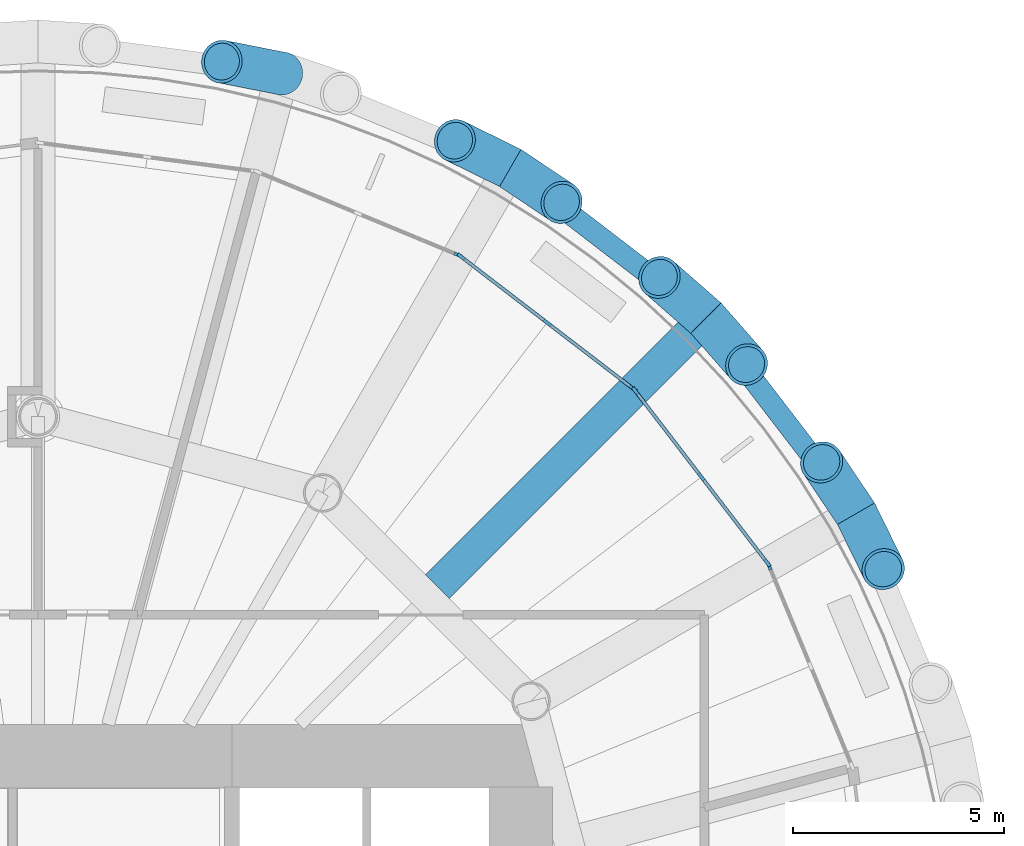
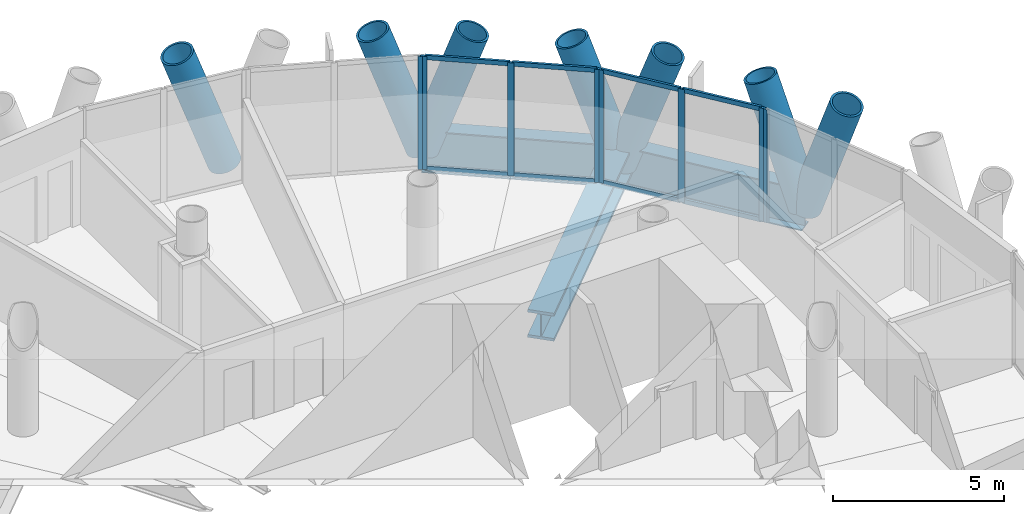
# One storey, part 6 of 13: 23 members, 3 beams, 4 elements without a shape of their own.
"""IFC4 building model written with IfcOpenShell, lengths in metres."""

from ifc_helpers import new_model, si_unit, direction, frame, origin, origin_2d, place, context, subcontext, project, spatial, rectangle, hollow_circle, i_section, extrude, material, material_profile, profile_set, type_object, element, aggregate, save


model = new_model("IFC4")

# Units and contexts
model_context = context("Model", 3, precision=1e-05, world=origin(), true_north=direction((0.0, 1.0)))
body_context = subcontext(model_context, "Body", "Model", "MODEL_VIEW")
ifc_project = project(units=[si_unit("LENGTHUNIT", "METRE"), si_unit("AREAUNIT", "SQUARE_METRE"), si_unit("VOLUMEUNIT", "CUBIC_METRE"), si_unit("PLANEANGLEUNIT", "RADIAN"), si_unit("MASSUNIT", "GRAM", prefix="KILO")], contexts=[model_context])

# Site, building, storey
site_placement = place(None, origin())
site = spatial("IfcSite", under=ifc_project, at=site_placement, CompositionType="ELEMENT")
building_placement = place(site_placement, origin())
building = spatial("IfcBuilding", under=site, at=building_placement, Name="Qaws Media Tower", CompositionType="ELEMENT")
storey_placement = place(building_placement, frame((0.0, 0.0, 244.39990234375)))
storey = spatial("IfcBuildingStorey", under=building, at=storey_placement, Name="L56", CompositionType="ELEMENT", Elevation=244.39990234375)

# Curtain wall, member
ifc_material_1 = material(Name="Aluminium and clear glass", Category="aluminium")
curtain_wall_type = type_object("IfcCurtainWallType", Name="Unitised curtain wall CW-C", PredefinedType="NOTDEFINED", material=ifc_material_1)
curtain_wall_1_placement = place(storey_placement, origin())
curtain_wall_1 = element("IfcCurtainWall", 1, at=curtain_wall_1_placement, inside=storey, type_object=curtain_wall_type, Name="CWC curtain wall L56-02", PredefinedType="NOTDEFINED")
ifc_material_2 = material(Name="Aluminium mullion", Category="aluminium")
ifc_material_profile_1 = material_profile(ifc_material_2, rectangle(XDim=0.080078125, YDim=0.199951171875, at=origin_2d()), Name="80x200")
ifc_profile_set_1 = profile_set([ifc_material_profile_1], Name="Aluminium mullion")
member_type_1 = type_object("IfcMemberType", Name="Curtain wall mullion 80x200", PredefinedType="MULLION", material=ifc_profile_set_1)
member_1_placement = place(storey_placement, frame((77.335693359375, 59.963134765625, 0.0), z_axis=(0.0, 0.0, 1.0), x_axis=(-0.923879492524, -0.382683528904, 0.0)))
member_1 = element("IfcMember", 2, at=member_1_placement, type_object=member_type_1, Name="CWC mullion 3", PredefinedType="MULLION", context=body_context, shape_type="SweptSolid", body=[
    extrude(rectangle(XDim=0.080078125, YDim=0.199951171875, at=origin_2d()), origin(), (0.0, 0.0, 1.0), 4.0400390625),
])
aggregate(curtain_wall_1, [member_1])

# Curtain wall, members
curtain_wall_2_placement = place(storey_placement, origin())
curtain_wall_2 = element("IfcCurtainWall", 3, at=curtain_wall_2_placement, inside=storey, type_object=curtain_wall_type, Name="CWC curtain wall L56-03", PredefinedType="NOTDEFINED")
member_2_placement = place(storey_placement, frame((77.296142578125, 60.03173828125, 0.0), z_axis=(0.0, 0.0, 1.0), x_axis=(-0.793353408811, -0.608761339712, 0.0)))
member_2 = element("IfcMember", 4, at=member_2_placement, type_object=member_type_1, Name="CWC mullion 1", PredefinedType="MULLION", context=body_context, shape_type="SweptSolid", body=[
    extrude(rectangle(XDim=0.080078125, YDim=0.199951171875, at=origin_2d()), origin(), (0.0, 0.0, 1.0), 4.0400390625),
])
member_3_placement = place(storey_placement, frame((75.731201171875, 62.071044921875, 0.0), z_axis=(0.0, 0.0, 1.0), x_axis=(-0.793353408811, -0.608761339712, 0.0)))
member_3 = element("IfcMember", 5, at=member_3_placement, type_object=member_type_1, Name="CWC mullion 2", PredefinedType="MULLION", context=body_context, shape_type="SweptSolid", body=[
    extrude(rectangle(XDim=0.080078125, YDim=0.199951171875, at=origin_2d()), origin(), (0.0, 0.0, 1.0), 4.0400390625),
])
member_4_placement = place(storey_placement, frame((74.16650390625, 64.1103515625, 0.0), z_axis=(0.0, 0.0, 1.0), x_axis=(-0.793353408811, -0.608761339712, 0.0)))
member_4 = element("IfcMember", 6, at=member_4_placement, type_object=member_type_1, Name="CWC mullion 3", PredefinedType="MULLION", context=body_context, shape_type="SweptSolid", body=[
    extrude(rectangle(XDim=0.080078125, YDim=0.199951171875, at=origin_2d()), origin(), (0.0, 0.0, 1.0), 4.0400390625),
])

curtain_wall_3_placement = place(storey_placement, origin())
curtain_wall_3 = element("IfcCurtainWall", 7, at=curtain_wall_3_placement, inside=storey, type_object=curtain_wall_type, Name="CWC curtain wall L56-04", PredefinedType="NOTDEFINED")
member_5_placement = place(storey_placement, frame((74.1103515625, 64.16650390625, 0.0), z_axis=(0.0, 0.0, 1.0), x_axis=(-0.608761339712, -0.793353408811, 0.0)))
member_5 = element("IfcMember", 8, at=member_5_placement, type_object=member_type_1, Name="CWC mullion 1", PredefinedType="MULLION", context=body_context, shape_type="SweptSolid", body=[
    extrude(rectangle(XDim=0.080078125, YDim=0.199951171875, at=origin_2d()), origin(), (0.0, 0.0, 1.0), 4.0400390625),
])
member_6_placement = place(storey_placement, frame((72.071044921875, 65.731201171875, 0.0), z_axis=(0.0, 0.0, 1.0), x_axis=(-0.608761339712, -0.793353408811, 0.0)))
member_6 = element("IfcMember", 9, at=member_6_placement, type_object=member_type_1, Name="CWC mullion 2", PredefinedType="MULLION", context=body_context, shape_type="SweptSolid", body=[
    extrude(rectangle(XDim=0.080078125, YDim=0.199951171875, at=origin_2d()), origin(), (0.0, 0.0, 1.0), 4.0400390625),
])
member_7_placement = place(storey_placement, frame((70.03173828125, 67.296142578125, 0.0), z_axis=(0.0, 0.0, 1.0), x_axis=(-0.608761339712, -0.793353408811, 0.0)))
member_7 = element("IfcMember", 10, at=member_7_placement, type_object=member_type_1, Name="CWC mullion 3", PredefinedType="MULLION", context=body_context, shape_type="SweptSolid", body=[
    extrude(rectangle(XDim=0.080078125, YDim=0.199951171875, at=origin_2d()), origin(), (0.0, 0.0, 1.0), 4.0400390625),
])

# Curtain wall, member
curtain_wall_4_placement = place(storey_placement, origin())
curtain_wall_4 = element("IfcCurtainWall", 11, at=curtain_wall_4_placement, inside=storey, type_object=curtain_wall_type, Name="CWC curtain wall L56-05", PredefinedType="NOTDEFINED")
member_8_placement = place(storey_placement, frame((69.963134765625, 67.335693359375, 0.0), z_axis=(0.0, 0.0, 1.0), x_axis=(-0.382683528904, -0.923879492524, 0.0)))
member_8 = element("IfcMember", 12, at=member_8_placement, type_object=member_type_1, Name="CWC mullion 1", PredefinedType="MULLION", context=body_context, shape_type="SweptSolid", body=[
    extrude(rectangle(XDim=0.080078125, YDim=0.199951171875, at=origin_2d()), origin(), (0.0, 0.0, 1.0), 4.0400390625),
])
aggregate(curtain_wall_4, [member_8])

# Member
ifc_material_3 = material(Name="Aluminium transom", Category="aluminium")
ifc_material_profile_2 = material_profile(ifc_material_3, rectangle(XDim=0.080078125, YDim=0.159912109375, at=origin_2d()), Name="80x160")
ifc_profile_set_2 = profile_set([ifc_material_profile_2], Name="Aluminium transom")
member_type_2 = type_object("IfcMemberType", Name="Curtain wall transom 80x160", PredefinedType="USERDEFINED", material=ifc_profile_set_2)
member_9_placement = place(storey_placement, frame((77.271728515625, 60.0634765625, 0.0400390625), z_axis=(-0.608762828767, 0.793352266217, 0.0), x_axis=(-0.793352266217, -0.608762828767, 0.0)))
member_9 = element("IfcMember", 13, at=member_9_placement, type_object=member_type_2, Name="CWC transom 1.1", ObjectType="TRANSOM", PredefinedType="USERDEFINED", context=body_context, shape_type="SweptSolid", body=[
    extrude(rectangle(XDim=0.080078125, YDim=0.159912109375, at=origin_2d()), origin(), (0.0, 0.0, 1.0), 2.490478515625),
])

member_10_placement = place(storey_placement, frame((77.271728515625, 60.0634765625, 4.0), z_axis=(-0.608762828767, 0.793352266217, 0.0), x_axis=(-0.793352266217, -0.608762828767, 0.0)))
member_10 = element("IfcMember", 14, at=member_10_placement, type_object=member_type_2, Name="CWC transom 1.2", ObjectType="TRANSOM", PredefinedType="USERDEFINED", context=body_context, shape_type="SweptSolid", body=[
    extrude(rectangle(XDim=0.080078125, YDim=0.159912109375, at=origin_2d()), origin(), (0.0, 0.0, 1.0), 2.490478515625),
])

member_11_placement = place(storey_placement, frame((75.70703125, 62.102783203125, 0.0400390625), z_axis=(-0.608762828767, 0.793352266217, 0.0), x_axis=(-0.793352266217, -0.608762828767, 0.0)))
member_11 = element("IfcMember", 15, at=member_11_placement, type_object=member_type_2, Name="CWC transom 2.1", ObjectType="TRANSOM", PredefinedType="USERDEFINED", context=body_context, shape_type="SweptSolid", body=[
    extrude(rectangle(XDim=0.080078125, YDim=0.159912109375, at=origin_2d()), origin(), (0.0, 0.0, 1.0), 2.490478515625),
])

member_12_placement = place(storey_placement, frame((75.70703125, 62.102783203125, 4.0), z_axis=(-0.608762828767, 0.793352266217, 0.0), x_axis=(-0.793352266217, -0.608762828767, 0.0)))
member_12 = element("IfcMember", 16, at=member_12_placement, type_object=member_type_2, Name="CWC transom 2.2", ObjectType="TRANSOM", PredefinedType="USERDEFINED", context=body_context, shape_type="SweptSolid", body=[
    extrude(rectangle(XDim=0.080078125, YDim=0.159912109375, at=origin_2d()), origin(), (0.0, 0.0, 1.0), 2.490478515625),
])

aggregate(curtain_wall_2, [member_2, member_3, member_4, member_9, member_10, member_11, member_12])

member_13_placement = place(storey_placement, frame((74.07861328125, 64.19091796875, 0.0400390625), z_axis=(-0.793352266217, 0.608762828767, 0.0), x_axis=(-0.608762828767, -0.793352266217, 0.0)))
member_13 = element("IfcMember", 17, at=member_13_placement, type_object=member_type_2, Name="CWC transom 1.1", ObjectType="TRANSOM", PredefinedType="USERDEFINED", context=body_context, shape_type="SweptSolid", body=[
    extrude(rectangle(XDim=0.080078125, YDim=0.159912109375, at=origin_2d()), origin(), (0.0, 0.0, 1.0), 2.490478515625),
])

member_14_placement = place(storey_placement, frame((74.07861328125, 64.19091796875, 4.0), z_axis=(-0.793352266217, 0.608762828767, 0.0), x_axis=(-0.608762828767, -0.793352266217, 0.0)))
member_14 = element("IfcMember", 18, at=member_14_placement, type_object=member_type_2, Name="CWC transom 1.2", ObjectType="TRANSOM", PredefinedType="USERDEFINED", context=body_context, shape_type="SweptSolid", body=[
    extrude(rectangle(XDim=0.080078125, YDim=0.159912109375, at=origin_2d()), origin(), (0.0, 0.0, 1.0), 2.490478515625),
])

member_15_placement = place(storey_placement, frame((72.039306640625, 65.755615234375, 0.0400390625), z_axis=(-0.793352266217, 0.608762828767, 0.0), x_axis=(-0.608762828767, -0.793352266217, 0.0)))
member_15 = element("IfcMember", 19, at=member_15_placement, type_object=member_type_2, Name="CWC transom 2.1", ObjectType="TRANSOM", PredefinedType="USERDEFINED", context=body_context, shape_type="SweptSolid", body=[
    extrude(rectangle(XDim=0.080078125, YDim=0.159912109375, at=origin_2d()), origin(), (0.0, 0.0, 1.0), 2.490478515625),
])

member_16_placement = place(storey_placement, frame((72.039306640625, 65.755615234375, 4.0), z_axis=(-0.793352266217, 0.608762828767, 0.0), x_axis=(-0.608762828767, -0.793352266217, 0.0)))
member_16 = element("IfcMember", 20, at=member_16_placement, type_object=member_type_2, Name="CWC transom 2.2", ObjectType="TRANSOM", PredefinedType="USERDEFINED", context=body_context, shape_type="SweptSolid", body=[
    extrude(rectangle(XDim=0.080078125, YDim=0.159912109375, at=origin_2d()), origin(), (0.0, 0.0, 1.0), 2.490478515625),
])

aggregate(curtain_wall_3, [member_5, member_6, member_7, member_13, member_14, member_15, member_16])

# Members
ifc_material_4 = material(Name="Steel S460", Category="steel")
ifc_material_profile_3 = material_profile(ifc_material_4, hollow_circle(Radius=0.508056640625, WallThickness=0.070068359375, at=origin_2d()), Name="CHS 1016x70")
ifc_profile_set_3 = profile_set([ifc_material_profile_3], Name="Steel S460")
member_type_3 = type_object("IfcMemberType", Name="Diagrid member CHS 1016x70", PredefinedType="USERDEFINED", material=ifc_profile_set_3)
member_17_placement = place(storey_placement, frame((79.39892578125, 61.199951171875, -0.909912109375), z_axis=(-0.183373426679, 0.273605666565, 0.944200257155), x_axis=(-0.830689059787, -0.556736639669, 0.0)))
element("IfcMember", 21, at=member_17_placement, inside=storey, type_object=member_type_3, Name="DG3 diagrid L56 A03", ObjectType="DIAGRID", PredefinedType="USERDEFINED", context=body_context, shape_type="SweptSolid", body=[
    extrude(hollow_circle(Radius=0.508056640625, WallThickness=0.070068359375, at=origin_2d()), origin(), (0.0, 0.0, 1.0), 4.4482421875),
])
member_18_placement = place(storey_placement, frame((79.39892578125, 61.199951171875, -0.909912109375), z_axis=(0.145284366824, -0.295563398318, 0.944211168294), x_axis=(0.897439748915, 0.441137050209, 0.0)))
element("IfcMember", 22, at=member_18_placement, inside=storey, type_object=member_type_3, Name="DG3 diagrid L56 B03", ObjectType="DIAGRID", PredefinedType="USERDEFINED", context=body_context, shape_type="SweptSolid", body=[
    extrude(hollow_circle(Radius=0.508056640625, WallThickness=0.070068359375, at=origin_2d()), origin(), (0.0, 0.0, 1.0), 4.447998046875),
])
for number, where, z_axis, x_axis, name in (
    (23, (75.839111328125, 65.839111328125, -0.909912109375), (-0.247918674394, 0.216853372267, 0.944198573301), (-0.65837482924, -0.752690231252, 0.0), "DG3 diagrid L56 A04"),
    (24, (75.839111328125, 65.839111328125, -0.909912109375), (0.216853372267, -0.247918674394, 0.944198573301), (0.752690231252, 0.65837482924, 0.0), "DG3 diagrid L56 B04"),
):
    element("IfcMember", number, at=place(storey_placement, frame(where, z_axis=z_axis, x_axis=x_axis)), inside=storey, type_object=member_type_3, Name=name, ObjectType="DIAGRID", PredefinedType="USERDEFINED", context=body_context, shape_type="SweptSolid", body=[
        extrude(hollow_circle(Radius=0.508056640625, WallThickness=0.070068359375, at=origin_2d()), origin(), (0.0, 0.0, 1.0), 4.4482421875),
    ])
member_19_placement = place(storey_placement, frame((71.199951171875, 69.39892578125, -0.909912109375), z_axis=(-0.295563398318, 0.145284366824, 0.944211168294), x_axis=(-0.441137050209, -0.897439748915, 0.0)))
element("IfcMember", 25, at=member_19_placement, inside=storey, type_object=member_type_3, Name="DG3 diagrid L56 A05", ObjectType="DIAGRID", PredefinedType="USERDEFINED", context=body_context, shape_type="SweptSolid", body=[
    extrude(hollow_circle(Radius=0.508056640625, WallThickness=0.070068359375, at=origin_2d()), origin(), (0.0, 0.0, 1.0), 4.447998046875),
])
for number, where, z_axis, x_axis, name in (
    (26, (71.199951171875, 69.39892578125, -0.909912109375), (0.273605666565, -0.183373426679, 0.944200257155), (0.556736639669, 0.830689059787, 0.0), "DG3 diagrid L56 B05"),
    (27, (65.797607421875, 71.63671875, -0.909912109375), (-0.323114191577, 0.063832479158, 0.944204762647), (-0.193808199116, -0.981039439551, 0.0), "DG3 diagrid L56 A06"),
):
    element("IfcMember", number, at=place(storey_placement, frame(where, z_axis=z_axis, x_axis=x_axis)), inside=storey, type_object=member_type_3, Name=name, ObjectType="DIAGRID", PredefinedType="USERDEFINED", context=body_context, shape_type="SweptSolid", body=[
        extrude(hollow_circle(Radius=0.508056640625, WallThickness=0.070068359375, at=origin_2d()), origin(), (0.0, 0.0, 1.0), 4.4482421875),
    ])

# Beams
ifc_material_5 = material(Name="Steel S460", Category="steel")
ifc_material_profile_4 = material_profile(ifc_material_5, i_section(OverallWidth=0.5, OverallDepth=1.5, WebThickness=0.02001953125, FlangeThickness=0.0400390625, at=origin_2d()), Name="PG 1500x500")
ifc_profile_set_4 = profile_set([ifc_material_profile_4], Name="Steel S460")
beam_type_1 = type_object("IfcBeamType", Name="Edge ring beam PG 1500x500", PredefinedType="BEAM", material=ifc_profile_set_4)
for number, where, z_axis, x_axis, name in (
    (28, (79.39892578125, 61.199951171875, -0.909912109375), (-0.608768066223, 0.793348247333, 0.0), (-0.793348247333, -0.608768066223, 0.0), "RB4 edge ring beam L56-03"),
    (29, (75.839111328125, 65.839111328125, -0.909912109375), (-0.793348247333, 0.608768066223, 0.0), (-0.608768066223, -0.793348247333, 0.0), "RB4 edge ring beam L56-04"),
):
    element("IfcBeam", number, at=place(storey_placement, frame(where, z_axis=z_axis, x_axis=x_axis)), inside=storey, type_object=beam_type_1, Name=name, PredefinedType="BEAM", context=body_context, shape_type="SweptSolid", body=[
        extrude(i_section(OverallWidth=0.5, OverallDepth=1.5, WebThickness=0.02001953125, FlangeThickness=0.0400390625, at=origin_2d()), origin(), (0.0, 0.0, 1.0), 5.84765625),
    ])
ifc_material_6 = material(Name="Steel S460", Category="steel")
ifc_material_profile_5 = material_profile(ifc_material_6, i_section(OverallWidth=0.800048828125, OverallDepth=1.0, WebThickness=0.0400390625, FlangeThickness=0.10009765625, at=origin_2d()), Name="PG 1000x800")
ifc_profile_set_5 = profile_set([ifc_material_profile_5], Name="Steel S460")
beam_type_2 = type_object("IfcBeamType", Name="Radial girder PG 1000x800", PredefinedType="BEAM", material=ifc_profile_set_5)
beam_placement = place(storey_placement, frame((69.46826171875, 59.46826171875, -0.659912109375), z_axis=(0.707106781187, 0.707106781187, 0.0), x_axis=(-0.707106781187, 0.707106781187, 0.0)))
element("IfcBeam", 30, at=beam_placement, inside=storey, type_object=beam_type_2, Name="B1 radial beam L56 04", PredefinedType="BEAM", context=body_context, shape_type="SweptSolid", body=[
    extrude(i_section(OverallWidth=0.800048828125, OverallDepth=1.0, WebThickness=0.0400390625, FlangeThickness=0.10009765625, at=origin_2d()), origin(), (0.0, 0.0, 1.0), 9.009765625),
])

save(model, "model.ifc")
